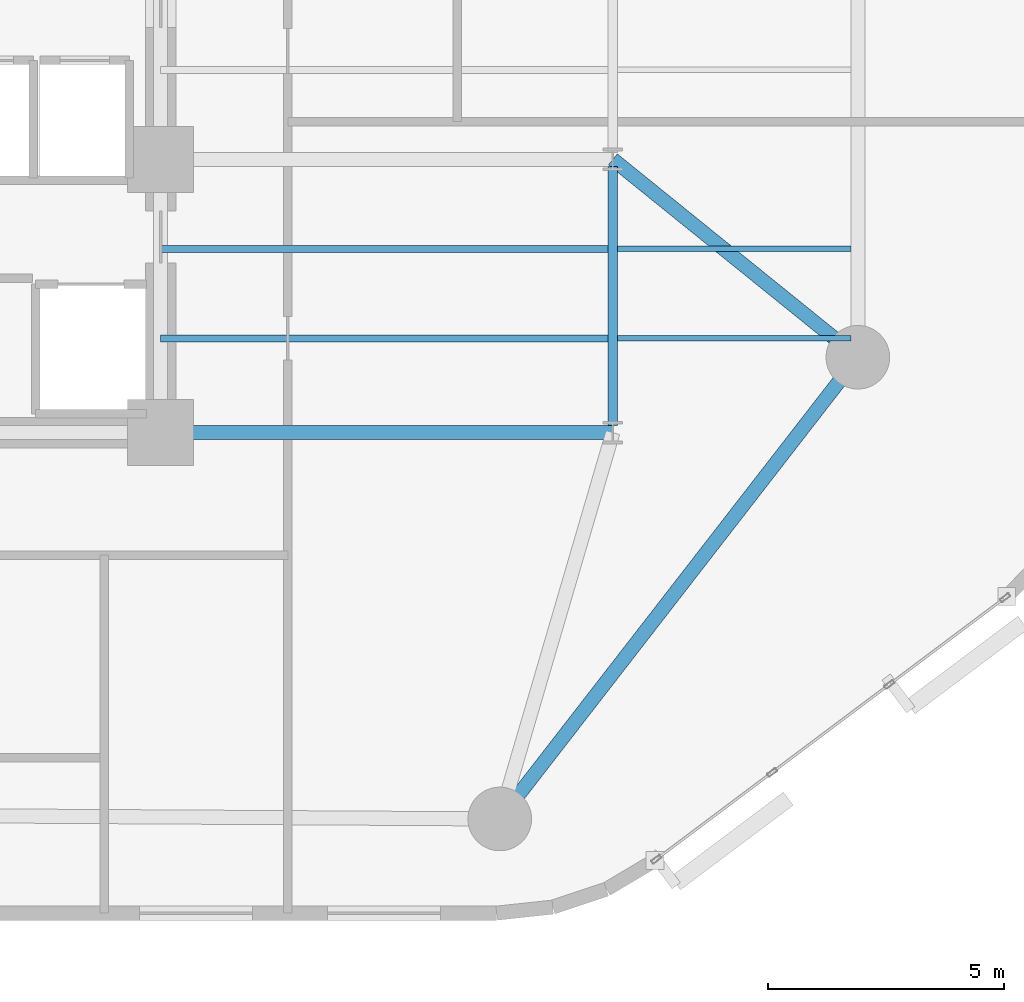
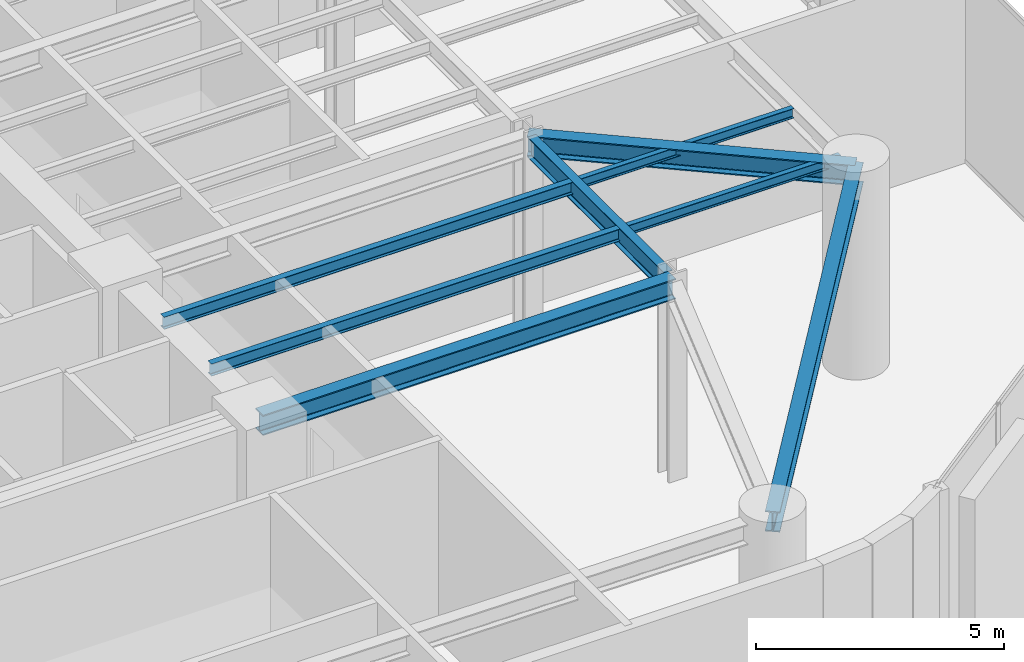
# One storey, part 3 of 14: 8 beams.
"""IFC4 building model written with IfcOpenShell, lengths in metres."""

from ifc_helpers import new_model, si_unit, direction, frame, origin, origin_2d, place, context, subcontext, project, spatial, i_section, extrude, material, material_profile, profile_set, type_object, element, save


model = new_model("IFC4")

# Units and contexts
model_context = context("Model", 3, precision=1e-05, world=origin(), true_north=direction((0.0, 1.0)))
body_context = subcontext(model_context, "Body", "Model", "MODEL_VIEW")
ifc_project = project(units=[si_unit("LENGTHUNIT", "METRE"), si_unit("AREAUNIT", "SQUARE_METRE"), si_unit("VOLUMEUNIT", "CUBIC_METRE"), si_unit("PLANEANGLEUNIT", "RADIAN"), si_unit("MASSUNIT", "GRAM", prefix="KILO")], contexts=[model_context])

# Site, building, storey
site_placement = place(None, origin())
site = spatial("IfcSite", under=ifc_project, at=site_placement, CompositionType="ELEMENT")
building_placement = place(site_placement, origin())
building = spatial("IfcBuilding", under=site, at=building_placement, Name="An Khanh Terracotta Commons", CompositionType="ELEMENT")
storey_placement = place(building_placement, frame((0.0, 0.0, 81.199951171875)))
storey = spatial("IfcBuildingStorey", under=building, at=storey_placement, Name="L21", CompositionType="ELEMENT", Elevation=81.199951171875)

# Beams
ifc_material = material(Name="Steel S355J2", Category="steel")
ifc_material_profile_1 = material_profile(ifc_material, i_section(OverallWidth=0.300048828125, OverallDepth=0.5, WebThickness=0.014404296875, FlangeThickness=0.028076171875, FilletRadius=0.027099609375, at=origin_2d()), Name="HEB500")
ifc_profile_set_1 = profile_set([ifc_material_profile_1], Name="Steel S355J2")
beam_type_1 = type_object("IfcBeamType", Name="BM-HEB500", PredefinedType="BEAM", material=ifc_profile_set_1)
beam_1_placement = place(storey_placement, frame((44.39990234375, 6.199951171875, 4.650146484375), z_axis=(0.612826529795, 0.790217466511, 0.0), x_axis=(-0.790217466511, 0.612826529795, 0.0)))
element("IfcBeam", 1, at=beam_1_placement, inside=storey, type_object=beam_type_1, Name="L21 Perimeter Ring Spandrel 2", PredefinedType="BEAM", context=body_context, shape_type="SweptSolid", body=[
    extrude(i_section(OverallWidth=0.300048828125, OverallDepth=0.5, WebThickness=0.014404296875, FlangeThickness=0.028076171875, FilletRadius=0.027099609375, at=origin_2d()), origin(), (0.0, 0.0, 1.0), 12.401611328125),
])
beam_2_placement = place(storey_placement, frame((37.199951171875, 14.39990234375, 4.650146484375), z_axis=(1.0, 0.0, 0.0), x_axis=(0.0, 1.0, 0.0)))
element("IfcBeam", 2, at=beam_2_placement, inside=storey, type_object=beam_type_1, Name="L21 East Primary Floor Girder 1", PredefinedType="BEAM", context=body_context, shape_type="SweptSolid", body=[
    extrude(i_section(OverallWidth=0.300048828125, OverallDepth=0.5, WebThickness=0.014404296875, FlangeThickness=0.028076171875, FilletRadius=0.027099609375, at=origin_2d()), origin(), (0.0, 0.0, 1.0), 9.60009765625),
])
beam_3_placement = place(storey_placement, frame((52.0, 16.0, 4.650146484375), z_axis=(-0.777941866883, 0.628336256913, 0.0), x_axis=(-0.628336256913, -0.777941866883, 0.0)))
element("IfcBeam", 3, at=beam_3_placement, inside=storey, type_object=beam_type_1, Name="L21 Mega-Column Tie Girder 3", PredefinedType="BEAM", context=body_context, shape_type="SweptSolid", body=[
    extrude(i_section(OverallWidth=0.300048828125, OverallDepth=0.5, WebThickness=0.014404296875, FlangeThickness=0.028076171875, FilletRadius=0.027099609375, at=origin_2d()), origin(), (0.0, 0.0, 1.0), 6.684326171875),
])
ifc_material_profile_2 = material_profile(ifc_material, i_section(OverallWidth=0.1201171875, OverallDepth=0.239990234375, WebThickness=0.006103515625, FlangeThickness=0.009765625, FilletRadius=0.014892578125, at=origin_2d()), Name="IPE240")
ifc_profile_set_2 = profile_set([ifc_material_profile_2], Name="Steel S355J2")
beam_type_2 = type_object("IfcBeamType", Name="BM-IPE240", PredefinedType="JOIST", material=ifc_profile_set_2)
for number, where, z_axis, x_axis, name in (
    (4, (46.89990234375, 16.39990234375, 4.780029296875), (1.0, 0.0, 0.0), (0.0, 1.0, 0.0), "L21 Riverfront Composite Joist 1"),
    (5, (46.89990234375, 18.300048828125, 4.780029296875), (1.0, 0.0, 0.0), (0.0, 1.0, 0.0), "L21 Riverfront Composite Joist 2"),
):
    element("IfcBeam", number, at=place(storey_placement, frame(where, z_axis=z_axis, x_axis=x_axis)), inside=storey, type_object=beam_type_2, Name=name, PredefinedType="JOIST", context=body_context, shape_type="SweptSolid", body=[
        extrude(i_section(OverallWidth=0.1201171875, OverallDepth=0.239990234375, WebThickness=0.006103515625, FlangeThickness=0.009765625, FilletRadius=0.014892578125, at=origin_2d()), origin(), (0.0, 0.0, 1.0), 4.9501953125),
    ])
ifc_material_profile_3 = material_profile(ifc_material, i_section(OverallWidth=0.14990234375, OverallDepth=0.300048828125, WebThickness=0.007080078125, FlangeThickness=0.0107421875, FilletRadius=0.014892578125, at=origin_2d()), Name="IPE300")
ifc_profile_set_3 = profile_set([ifc_material_profile_3], Name="Steel S355J2")
beam_type_3 = type_object("IfcBeamType", Name="BM-IPE300", PredefinedType="JOIST", material=ifc_profile_set_3)
for number, where, z_axis, x_axis, name in (
    (6, (37.199951171875, 16.39990234375, 4.75), (1.0, 0.0, 0.0), (0.0, 1.0, 0.0), "L21 Inboard Composite Joist 1"),
    (7, (37.199951171875, 18.300048828125, 4.75), (1.0, 0.0, 0.0), (0.0, 1.0, 0.0), "L21 Inboard Composite Joist 2"),
):
    element("IfcBeam", number, at=place(storey_placement, frame(where, z_axis=z_axis, x_axis=x_axis)), inside=storey, type_object=beam_type_3, Name=name, PredefinedType="JOIST", context=body_context, shape_type="SweptSolid", body=[
        extrude(i_section(OverallWidth=0.14990234375, OverallDepth=0.300048828125, WebThickness=0.007080078125, FlangeThickness=0.0107421875, FilletRadius=0.014892578125, at=origin_2d()), origin(), (0.0, 0.0, 1.0), 9.5),
    ])
ifc_material_profile_4 = material_profile(ifc_material, i_section(OverallWidth=0.199951171875, OverallDepth=0.5, WebThickness=0.01025390625, FlangeThickness=0.01611328125, FilletRadius=0.02099609375, at=origin_2d()), Name="IPE500")
ifc_profile_set_4 = profile_set([ifc_material_profile_4], Name="Steel S355J2")
beam_type_4 = type_object("IfcBeamType", Name="BM-IPE500", PredefinedType="BEAM", material=ifc_profile_set_4)
beam_4_placement = place(storey_placement, frame((46.800048828125, 14.550048828125, 4.650146484375), z_axis=(0.0, 1.0, 0.0), x_axis=(-1.0, 0.0, 0.0)))
element("IfcBeam", 8, at=beam_4_placement, inside=storey, type_object=beam_type_4, Name="L21 East Spine Girder 1", PredefinedType="BEAM", context=body_context, shape_type="SweptSolid", body=[
    extrude(i_section(OverallWidth=0.199951171875, OverallDepth=0.5, WebThickness=0.01025390625, FlangeThickness=0.01611328125, FilletRadius=0.02099609375, at=origin_2d()), origin(), (0.0, 0.0, 1.0), 5.5),
])

save(model, "model.ifc")
